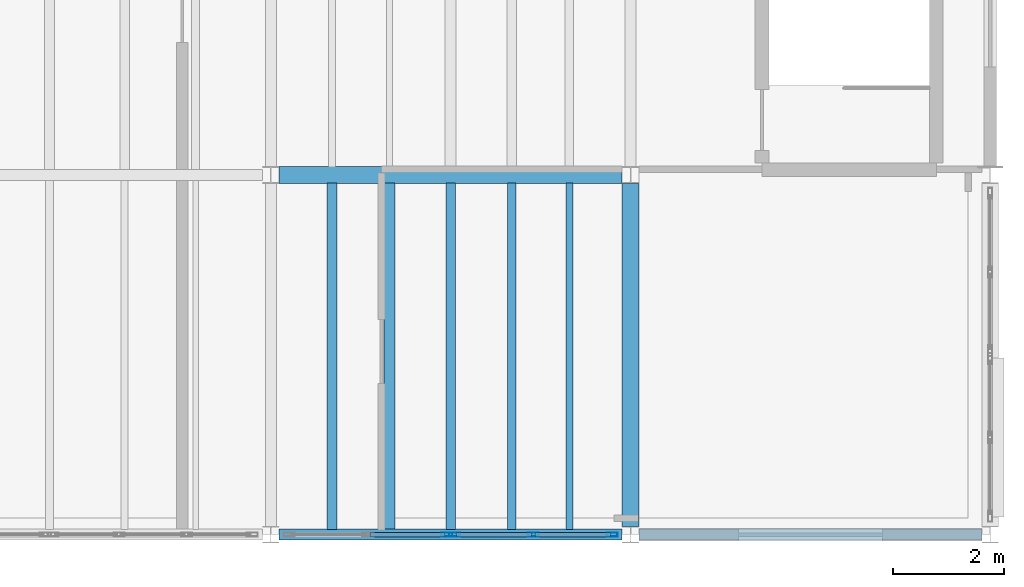
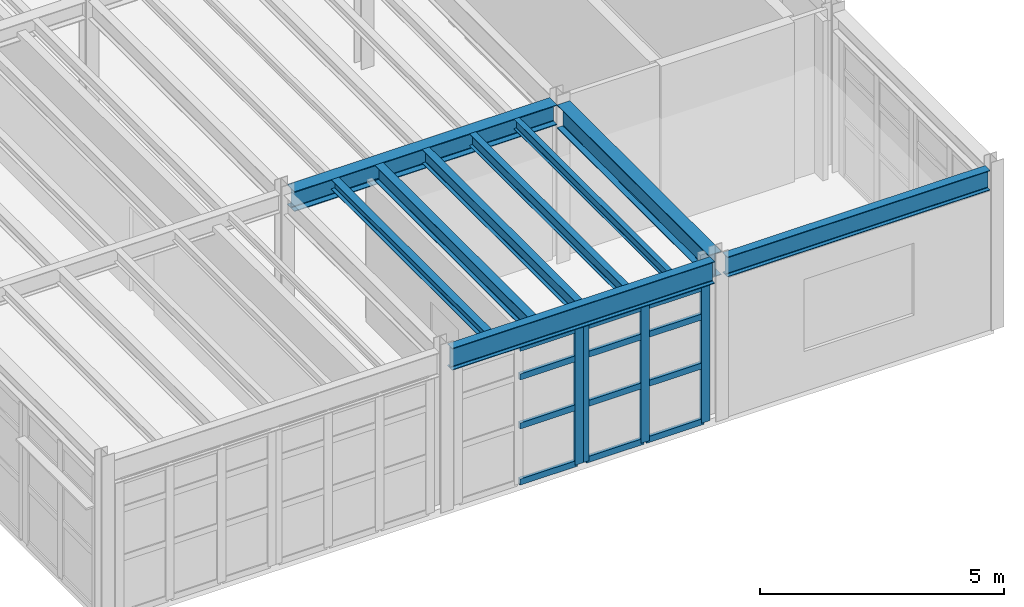
# One storey, part 5 of 27: 16 members, 9 beams, 2 elements without a shape of their own.
"""IFC4 building model written with IfcOpenShell, lengths in metres."""

from ifc_helpers import new_model, si_unit, direction, frame, origin, origin_2d, place, context, subcontext, project, spatial, hollow_rectangle, i_section, extrude, material, material_profile, profile_set, type_object, element, aggregate, save


model = new_model("IFC4")

# Units and contexts
model_context = context("Model", 3, precision=1e-05, world=origin(), true_north=direction((0.0, 1.0)))
body_context = subcontext(model_context, "Body", "Model", "MODEL_VIEW")
ifc_project = project(units=[si_unit("LENGTHUNIT", "METRE"), si_unit("AREAUNIT", "SQUARE_METRE"), si_unit("VOLUMEUNIT", "CUBIC_METRE"), si_unit("PLANEANGLEUNIT", "RADIAN"), si_unit("MASSUNIT", "GRAM", prefix="KILO"), si_unit("THERMODYNAMICTEMPERATUREUNIT", "KELVIN"), si_unit("POWERUNIT", "WATT")], contexts=[model_context])

# Site, building, storey
site_placement = place(None, origin())
site = spatial("IfcSite", under=ifc_project, at=site_placement, CompositionType="ELEMENT")
building_placement = place(site_placement, origin())
building = spatial("IfcBuilding", under=site, at=building_placement, Name="Zhenchuan Central Fire Station", CompositionType="ELEMENT")
storey_placement = place(building_placement, frame((0.0, 0.0, 14.25)))
storey = spatial("IfcBuildingStorey", under=building, at=storey_placement, Name="L04", CompositionType="ELEMENT", Elevation=14.25)

# Beams
ifc_material_1 = material(Name="Steel Q355B", Category="steel")
ifc_material_profile_1 = material_profile(ifc_material_1, i_section(OverallWidth=0.300048828125, OverallDepth=0.5, WebThickness=0.010986328125, FlangeThickness=0.01806640625, FilletRadius=0.02197265625, at=origin_2d()), Name="HM 500x300")
ifc_profile_set_1 = profile_set([ifc_material_profile_1], Name="Steel Q355B")
beam_type_1 = type_object("IfcBeamType", Name="BM-HM500-INT", PredefinedType="BEAM", material=ifc_profile_set_1)
beam_1_placement = place(storey_placement, frame((148.14990234375, 6.5, 3.72998046875), z_axis=(1.0, 0.0, 0.0), x_axis=(0.0, 1.0, 0.0)))
element("IfcBeam", 1, at=beam_1_placement, inside=storey, type_object=beam_type_1, Name="L05 Girder EW 0435", PredefinedType="BEAM", context=body_context, shape_type="SweptSolid", body=[
    extrude(i_section(OverallWidth=0.300048828125, OverallDepth=0.5, WebThickness=0.010986328125, FlangeThickness=0.01806640625, FilletRadius=0.02197265625, at=origin_2d()), origin(), (0.0, 0.0, 1.0), 6.2001953125),
])
ifc_material_profile_2 = material_profile(ifc_material_1, i_section(OverallWidth=0.300048828125, OverallDepth=0.587890625, WebThickness=0.011962890625, FlangeThickness=0.02001953125, FilletRadius=0.02392578125, at=origin_2d()), Name="HM 588x300")
ifc_profile_set_2 = profile_set([ifc_material_profile_2], Name="Steel Q355B")
beam_type_2 = type_object("IfcBeamType", Name="BM-HM588", PredefinedType="BEAM", material=ifc_profile_set_2)
beam_2_placement = place(storey_placement, frame((154.5, 0.14990234375, 3.68603515625), z_axis=(0.0, 1.0, 0.0), x_axis=(-1.0, 0.0, 0.0)))
element("IfcBeam", 2, at=beam_2_placement, inside=storey, type_object=beam_type_2, Name="L05 Girder NS 0473", PredefinedType="BEAM", context=body_context, shape_type="SweptSolid", body=[
    extrude(i_section(OverallWidth=0.300048828125, OverallDepth=0.587890625, WebThickness=0.011962890625, FlangeThickness=0.02001953125, FilletRadius=0.02392578125, at=origin_2d()), origin(), (0.0, 0.0, 1.0), 6.2001953125),
])
ifc_material_profile_3 = material_profile(ifc_material_1, i_section(OverallWidth=0.199951171875, OverallDepth=0.550048828125, WebThickness=0.010009765625, FlangeThickness=0.01611328125, FilletRadius=0.02001953125, at=origin_2d()), Name="HN 550x200")
ifc_profile_set_3 = profile_set([ifc_material_profile_3], Name="Steel Q355B")
beam_type_3 = type_object("IfcBeamType", Name="BM-HN550", PredefinedType="BEAM", material=ifc_profile_set_3)
beam_3_placement = place(storey_placement, frame((148.14990234375, 0.0, 3.705078125), z_axis=(1.0, 0.0, 0.0), x_axis=(0.0, 1.0, 0.0)))
element("IfcBeam", 3, at=beam_3_placement, inside=storey, type_object=beam_type_3, Name="L05 Girder EW 0432", PredefinedType="BEAM", context=body_context, shape_type="SweptSolid", body=[
    extrude(i_section(OverallWidth=0.199951171875, OverallDepth=0.550048828125, WebThickness=0.010009765625, FlangeThickness=0.01611328125, FilletRadius=0.02001953125, at=origin_2d()), origin(), (0.0, 0.0, 1.0), 6.2001953125),
])

# Curtain wall, member
ifc_material_2 = material(Name="Anodised aluminium and low-E glazing", Category="aluminium")
curtain_wall_type_1 = type_object("IfcCurtainWallType", Name="CW-MOD-08", PredefinedType="USERDEFINED", material=ifc_material_2)
curtain_wall_1_placement = place(storey_placement, origin())
curtain_wall_1 = element("IfcCurtainWall", 4, at=curtain_wall_1_placement, inside=storey, type_object=curtain_wall_type_1, Name="L04 Unitised Curtain Wall 124", ObjectType="UNITISED GLAZING", PredefinedType="USERDEFINED")
ifc_material_3 = material(Name="Anodised aluminium EN AW-6063", Category="aluminium")
ifc_material_profile_4 = material_profile(ifc_material_3, hollow_rectangle(XDim=0.074951171875, YDim=0.199951171875, WallThickness=0.0048828125, at=origin_2d()), Name="ALU-M 200x75")
ifc_profile_set_4 = profile_set([ifc_material_profile_4], Name="Anodised aluminium EN AW-6063")
member_type_1 = type_object("IfcMemberType", Name="CW-MUL160", PredefinedType="MULLION", material=ifc_profile_set_4)
member_1_placement = place(storey_placement, frame((151.179443359375, 0.0, -0.00390625), z_axis=(0.0, 0.0, 1.0), x_axis=(0.0, 1.0, 0.0)))
member_1 = element("IfcMember", 5, at=member_1_placement, type_object=member_type_1, Name="CW-08 mullion 3", PredefinedType="MULLION", context=body_context, shape_type="SweptSolid", body=[
    extrude(hollow_rectangle(XDim=0.074951171875, YDim=0.199951171875, WallThickness=0.0048828125, at=origin_2d()), origin(), (0.0, 0.0, 1.0), 3.40380859375),
])

# Curtain wall, members
curtain_wall_type_2 = type_object("IfcCurtainWallType", Name="CW-MOD-09", PredefinedType="USERDEFINED", material=ifc_material_2)
curtain_wall_2_placement = place(storey_placement, origin())
curtain_wall_2 = element("IfcCurtainWall", 6, at=curtain_wall_2_placement, inside=storey, type_object=curtain_wall_type_2, Name="L04 Unitised Curtain Wall 125", ObjectType="UNITISED GLAZING", PredefinedType="USERDEFINED")
member_2_placement = place(storey_placement, frame((151.320556640625, 0.0, -0.00390625), z_axis=(0.0, 0.0, 1.0), x_axis=(0.0, 1.0, 0.0)))
member_2 = element("IfcMember", 7, at=member_2_placement, type_object=member_type_1, Name="CW-09 mullion 1", PredefinedType="MULLION", context=body_context, shape_type="SweptSolid", body=[
    extrude(hollow_rectangle(XDim=0.074951171875, YDim=0.199951171875, WallThickness=0.0048828125, at=origin_2d()), origin(), (0.0, 0.0, 1.0), 3.40380859375),
])
member_3_placement = place(storey_placement, frame((152.743896484375, 0.0, -0.00390625), z_axis=(0.0, 0.0, 1.0), x_axis=(0.0, 1.0, 0.0)))
member_3 = element("IfcMember", 8, at=member_3_placement, type_object=member_type_1, Name="CW-09 mullion 2", PredefinedType="MULLION", context=body_context, shape_type="SweptSolid", body=[
    extrude(hollow_rectangle(XDim=0.074951171875, YDim=0.199951171875, WallThickness=0.0048828125, at=origin_2d()), origin(), (0.0, 0.0, 1.0), 3.40380859375),
])
member_4_placement = place(storey_placement, frame((154.16748046875, 0.0, -0.00390625), z_axis=(0.0, 0.0, 1.0), x_axis=(0.0, 1.0, 0.0)))
member_4 = element("IfcMember", 9, at=member_4_placement, type_object=member_type_1, Name="CW-09 mullion 3", PredefinedType="MULLION", context=body_context, shape_type="SweptSolid", body=[
    extrude(hollow_rectangle(XDim=0.074951171875, YDim=0.199951171875, WallThickness=0.0048828125, at=origin_2d()), origin(), (0.0, 0.0, 1.0), 3.40380859375),
])

# Member
ifc_material_profile_5 = material_profile(ifc_material_3, hollow_rectangle(XDim=0.074951171875, YDim=0.14990234375, WallThickness=0.0048828125, at=origin_2d()), Name="ALU-T 150x75")
ifc_profile_set_5 = profile_set([ifc_material_profile_5], Name="Anodised aluminium EN AW-6063")
member_type_2 = type_object("IfcMemberType", Name="CW-TRN130", PredefinedType="NOTDEFINED", material=ifc_profile_set_5)
member_5_placement = place(storey_placement, frame((149.78857421875, 0.0, 0.028564453125), z_axis=(1.0, 0.0, 0.0), x_axis=(0.0, 1.0, 0.0)))
member_5 = element("IfcMember", 10, at=member_5_placement, type_object=member_type_2, Name="CW-08 transom 2.1", ObjectType="TRANSOM", PredefinedType="USERDEFINED", context=body_context, shape_type="SweptSolid", body=[
    extrude(hollow_rectangle(XDim=0.074951171875, YDim=0.14990234375, WallThickness=0.0048828125, at=origin_2d()), origin(), (0.0, 0.0, 1.0), 1.3583984375),
])

member_6_placement = place(storey_placement, frame((149.78857421875, 0.0, 1.427978515625), z_axis=(1.0, 0.0, 0.0), x_axis=(0.0, 1.0, 0.0)))
member_6 = element("IfcMember", 11, at=member_6_placement, type_object=member_type_2, Name="CW-08 transom 2.2", ObjectType="TRANSOM", PredefinedType="USERDEFINED", context=body_context, shape_type="SweptSolid", body=[
    extrude(hollow_rectangle(XDim=0.074951171875, YDim=0.14990234375, WallThickness=0.0048828125, at=origin_2d()), origin(), (0.0, 0.0, 1.0), 1.3583984375),
])

member_7_placement = place(storey_placement, frame((149.78857421875, 0.0, 2.652099609375), z_axis=(1.0, 0.0, 0.0), x_axis=(0.0, 1.0, 0.0)))
member_7 = element("IfcMember", 12, at=member_7_placement, type_object=member_type_2, Name="CW-08 transom 2.3", ObjectType="TRANSOM", PredefinedType="USERDEFINED", context=body_context, shape_type="SweptSolid", body=[
    extrude(hollow_rectangle(XDim=0.074951171875, YDim=0.14990234375, WallThickness=0.0048828125, at=origin_2d()), origin(), (0.0, 0.0, 1.0), 1.3583984375),
])

member_8_placement = place(storey_placement, frame((149.78857421875, 0.0, 3.367431640625), z_axis=(1.0, 0.0, 0.0), x_axis=(0.0, 1.0, 0.0)))
member_8 = element("IfcMember", 13, at=member_8_placement, type_object=member_type_2, Name="CW-08 transom 2.4", ObjectType="TRANSOM", PredefinedType="USERDEFINED", context=body_context, shape_type="SweptSolid", body=[
    extrude(hollow_rectangle(XDim=0.074951171875, YDim=0.14990234375, WallThickness=0.0048828125, at=origin_2d()), origin(), (0.0, 0.0, 1.0), 1.3583984375),
])

aggregate(curtain_wall_1, [member_1, member_5, member_6, member_7, member_8])

member_9_placement = place(storey_placement, frame((151.35302734375, 0.0, 0.028564453125), z_axis=(1.0, 0.0, 0.0), x_axis=(0.0, 1.0, 0.0)))
member_9 = element("IfcMember", 14, at=member_9_placement, type_object=member_type_2, Name="CW-09 transom 1.1", ObjectType="TRANSOM", PredefinedType="USERDEFINED", context=body_context, shape_type="SweptSolid", body=[
    extrude(hollow_rectangle(XDim=0.074951171875, YDim=0.14990234375, WallThickness=0.0048828125, at=origin_2d()), origin(), (0.0, 0.0, 1.0), 1.3583984375),
])

member_10_placement = place(storey_placement, frame((151.35302734375, 0.0, 1.427978515625), z_axis=(1.0, 0.0, 0.0), x_axis=(0.0, 1.0, 0.0)))
member_10 = element("IfcMember", 15, at=member_10_placement, type_object=member_type_2, Name="CW-09 transom 1.2", ObjectType="TRANSOM", PredefinedType="USERDEFINED", context=body_context, shape_type="SweptSolid", body=[
    extrude(hollow_rectangle(XDim=0.074951171875, YDim=0.14990234375, WallThickness=0.0048828125, at=origin_2d()), origin(), (0.0, 0.0, 1.0), 1.3583984375),
])

member_11_placement = place(storey_placement, frame((151.35302734375, 0.0, 2.652099609375), z_axis=(1.0, 0.0, 0.0), x_axis=(0.0, 1.0, 0.0)))
member_11 = element("IfcMember", 16, at=member_11_placement, type_object=member_type_2, Name="CW-09 transom 1.3", ObjectType="TRANSOM", PredefinedType="USERDEFINED", context=body_context, shape_type="SweptSolid", body=[
    extrude(hollow_rectangle(XDim=0.074951171875, YDim=0.14990234375, WallThickness=0.0048828125, at=origin_2d()), origin(), (0.0, 0.0, 1.0), 1.3583984375),
])

member_12_placement = place(storey_placement, frame((151.35302734375, 0.0, 3.367431640625), z_axis=(1.0, 0.0, 0.0), x_axis=(0.0, 1.0, 0.0)))
member_12 = element("IfcMember", 17, at=member_12_placement, type_object=member_type_2, Name="CW-09 transom 1.4", ObjectType="TRANSOM", PredefinedType="USERDEFINED", context=body_context, shape_type="SweptSolid", body=[
    extrude(hollow_rectangle(XDim=0.074951171875, YDim=0.14990234375, WallThickness=0.0048828125, at=origin_2d()), origin(), (0.0, 0.0, 1.0), 1.3583984375),
])

member_13_placement = place(storey_placement, frame((152.776611328125, 0.0, 0.028564453125), z_axis=(1.0, 0.0, 0.0), x_axis=(0.0, 1.0, 0.0)))
member_13 = element("IfcMember", 18, at=member_13_placement, type_object=member_type_2, Name="CW-09 transom 2.1", ObjectType="TRANSOM", PredefinedType="USERDEFINED", context=body_context, shape_type="SweptSolid", body=[
    extrude(hollow_rectangle(XDim=0.074951171875, YDim=0.14990234375, WallThickness=0.0048828125, at=origin_2d()), origin(), (0.0, 0.0, 1.0), 1.3583984375),
])

member_14_placement = place(storey_placement, frame((152.776611328125, 0.0, 1.427978515625), z_axis=(1.0, 0.0, 0.0), x_axis=(0.0, 1.0, 0.0)))
member_14 = element("IfcMember", 19, at=member_14_placement, type_object=member_type_2, Name="CW-09 transom 2.2", ObjectType="TRANSOM", PredefinedType="USERDEFINED", context=body_context, shape_type="SweptSolid", body=[
    extrude(hollow_rectangle(XDim=0.074951171875, YDim=0.14990234375, WallThickness=0.0048828125, at=origin_2d()), origin(), (0.0, 0.0, 1.0), 1.3583984375),
])

member_15_placement = place(storey_placement, frame((152.776611328125, 0.0, 2.652099609375), z_axis=(1.0, 0.0, 0.0), x_axis=(0.0, 1.0, 0.0)))
member_15 = element("IfcMember", 20, at=member_15_placement, type_object=member_type_2, Name="CW-09 transom 2.3", ObjectType="TRANSOM", PredefinedType="USERDEFINED", context=body_context, shape_type="SweptSolid", body=[
    extrude(hollow_rectangle(XDim=0.074951171875, YDim=0.14990234375, WallThickness=0.0048828125, at=origin_2d()), origin(), (0.0, 0.0, 1.0), 1.3583984375),
])

member_16_placement = place(storey_placement, frame((152.776611328125, 0.0, 3.367431640625), z_axis=(1.0, 0.0, 0.0), x_axis=(0.0, 1.0, 0.0)))
member_16 = element("IfcMember", 21, at=member_16_placement, type_object=member_type_2, Name="CW-09 transom 2.4", ObjectType="TRANSOM", PredefinedType="USERDEFINED", context=body_context, shape_type="SweptSolid", body=[
    extrude(hollow_rectangle(XDim=0.074951171875, YDim=0.14990234375, WallThickness=0.0048828125, at=origin_2d()), origin(), (0.0, 0.0, 1.0), 1.3583984375),
])

aggregate(curtain_wall_2, [member_2, member_3, member_4, member_9, member_10, member_11, member_12, member_13, member_14, member_15, member_16])

# Beams
ifc_material_profile_6 = material_profile(ifc_material_1, i_section(OverallWidth=0.175048828125, OverallDepth=0.243896484375, WebThickness=0.007080078125, FlangeThickness=0.010986328125, FilletRadius=0.012939453125, at=origin_2d()), Name="HM 244x175")
ifc_profile_set_6 = profile_set([ifc_material_profile_6], Name="Steel Q355B")
beam_type_4 = type_object("IfcBeamType", Name="JS-HM244", PredefinedType="JOIST", material=ifc_profile_set_6)
beam_4_placement = place(storey_placement, frame((149.10498046875, 0.096923828125, 3.85791015625), z_axis=(0.0, 1.0, 0.0), x_axis=(-1.0, 0.0, 0.0)))
element("IfcBeam", 22, at=beam_4_placement, inside=storey, type_object=beam_type_4, Name="L05 Secondary Joist 0707", PredefinedType="JOIST", context=body_context, shape_type="SweptSolid", body=[
    extrude(i_section(OverallWidth=0.175048828125, OverallDepth=0.243896484375, WebThickness=0.007080078125, FlangeThickness=0.010986328125, FilletRadius=0.012939453125, at=origin_2d()), origin(), (0.0, 0.0, 1.0), 6.256103515625),
])
ifc_material_profile_7 = material_profile(ifc_material_1, i_section(OverallWidth=0.125, OverallDepth=0.25, WebThickness=0.006103515625, FlangeThickness=0.009033203125, FilletRadius=0.011962890625, at=origin_2d()), Name="HN 250x125")
ifc_profile_set_7 = profile_set([ifc_material_profile_7], Name="Steel Q355B")
beam_type_5 = type_object("IfcBeamType", Name="JS-HN250", PredefinedType="JOIST", material=ifc_profile_set_7)
beam_5_placement = place(storey_placement, frame((153.39501953125, 0.096923828125, 3.85498046875), z_axis=(0.0, 1.0, 0.0), x_axis=(-1.0, 0.0, 0.0)))
element("IfcBeam", 23, at=beam_5_placement, inside=storey, type_object=beam_type_5, Name="L05 Secondary Joist 0711", PredefinedType="JOIST", context=body_context, shape_type="SweptSolid", body=[
    extrude(i_section(OverallWidth=0.125, OverallDepth=0.25, WebThickness=0.006103515625, FlangeThickness=0.009033203125, FilletRadius=0.011962890625, at=origin_2d()), origin(), (0.0, 0.0, 1.0), 6.256103515625),
])
ifc_material_profile_8 = material_profile(ifc_material_1, i_section(OverallWidth=0.14990234375, OverallDepth=0.300048828125, WebThickness=0.006591796875, FlangeThickness=0.009033203125, FilletRadius=0.012939453125, at=origin_2d()), Name="HN 300x150")
ifc_profile_set_8 = profile_set([ifc_material_profile_8], Name="Steel Q355B")
beam_type_6 = type_object("IfcBeamType", Name="JS-HN300", PredefinedType="JOIST", material=ifc_profile_set_8)
beam_6_placement = place(storey_placement, frame((152.35498046875, 0.096923828125, 3.830078125), z_axis=(0.0, 1.0, 0.0), x_axis=(-1.0, 0.0, 0.0)))
element("IfcBeam", 24, at=beam_6_placement, inside=storey, type_object=beam_type_6, Name="L05 Secondary Joist 0710", PredefinedType="JOIST", context=body_context, shape_type="SweptSolid", body=[
    extrude(i_section(OverallWidth=0.14990234375, OverallDepth=0.300048828125, WebThickness=0.006591796875, FlangeThickness=0.009033203125, FilletRadius=0.012939453125, at=origin_2d()), origin(), (0.0, 0.0, 1.0), 6.256103515625),
])
ifc_material_profile_9 = material_profile(ifc_material_1, i_section(OverallWidth=0.175048828125, OverallDepth=0.35009765625, WebThickness=0.007080078125, FlangeThickness=0.010986328125, FilletRadius=0.013916015625, at=origin_2d()), Name="HN 350x175")
ifc_profile_set_9 = profile_set([ifc_material_profile_9], Name="Steel Q355B")
beam_type_7 = type_object("IfcBeamType", Name="JS-HN350", PredefinedType="JOIST", material=ifc_profile_set_9)
beam_7_placement = place(storey_placement, frame((151.25, 0.096923828125, 3.804931640625), z_axis=(0.0, 1.0, 0.0), x_axis=(-1.0, 0.0, 0.0)))
element("IfcBeam", 25, at=beam_7_placement, inside=storey, type_object=beam_type_7, Name="L05 Secondary Joist 0709", PredefinedType="JOIST", context=body_context, shape_type="SweptSolid", body=[
    extrude(i_section(OverallWidth=0.175048828125, OverallDepth=0.35009765625, WebThickness=0.007080078125, FlangeThickness=0.010986328125, FilletRadius=0.013916015625, at=origin_2d()), origin(), (0.0, 0.0, 1.0), 6.256103515625),
])
ifc_material_profile_10 = material_profile(ifc_material_1, i_section(OverallWidth=0.199951171875, OverallDepth=0.39990234375, WebThickness=0.008056640625, FlangeThickness=0.012939453125, FilletRadius=0.01611328125, at=origin_2d()), Name="HN 400x200")
ifc_profile_set_10 = profile_set([ifc_material_profile_10], Name="Steel Q355B")
beam_type_8 = type_object("IfcBeamType", Name="JS-HN400", PredefinedType="JOIST", material=ifc_profile_set_10)
beam_8_placement = place(storey_placement, frame((150.14501953125, 0.096923828125, 3.780029296875), z_axis=(0.0, 1.0, 0.0), x_axis=(-1.0, 0.0, 0.0)))
element("IfcBeam", 26, at=beam_8_placement, inside=storey, type_object=beam_type_8, Name="L05 Secondary Joist 0708", PredefinedType="JOIST", context=body_context, shape_type="SweptSolid", body=[
    extrude(i_section(OverallWidth=0.199951171875, OverallDepth=0.39990234375, WebThickness=0.008056640625, FlangeThickness=0.012939453125, FilletRadius=0.01611328125, at=origin_2d()), origin(), (0.0, 0.0, 1.0), 6.256103515625),
])
ifc_material_profile_11 = material_profile(ifc_material_1, i_section(OverallWidth=0.199951171875, OverallDepth=0.5, WebThickness=0.010009765625, FlangeThickness=0.01611328125, FilletRadius=0.02001953125, at=origin_2d()), Name="HN 500x200")
ifc_profile_set_11 = profile_set([ifc_material_profile_11], Name="Steel Q355B")
beam_type_9 = type_object("IfcBeamType", Name="SP-HN500", PredefinedType="SPANDREL", material=ifc_profile_set_11)
beam_9_placement = place(storey_placement, frame((154.64990234375, 0.0, 3.72998046875), z_axis=(1.0, 0.0, 0.0), x_axis=(0.0, 1.0, 0.0)))
element("IfcBeam", 27, at=beam_9_placement, inside=storey, type_object=beam_type_9, Name="L05 Girder EW 0433", PredefinedType="SPANDREL", context=body_context, shape_type="SweptSolid", body=[
    extrude(i_section(OverallWidth=0.199951171875, OverallDepth=0.5, WebThickness=0.010009765625, FlangeThickness=0.01611328125, FilletRadius=0.02001953125, at=origin_2d()), origin(), (0.0, 0.0, 1.0), 6.2001953125),
])

save(model, "model.ifc")
